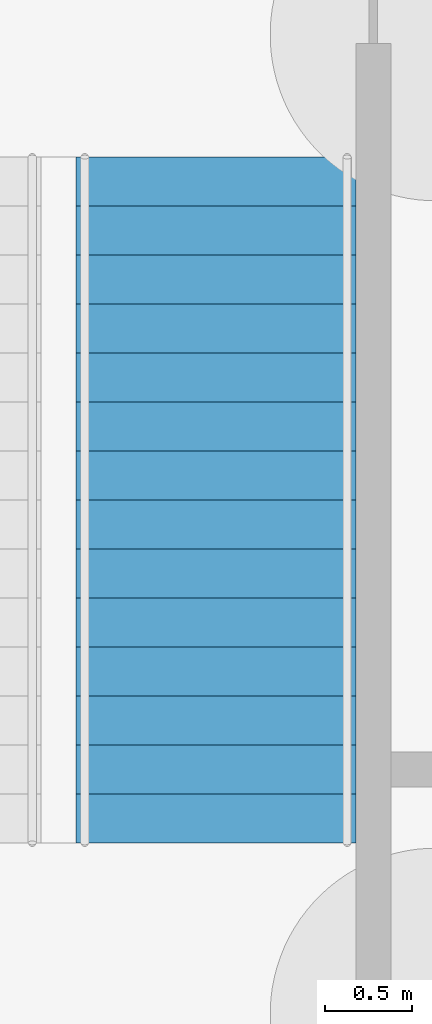
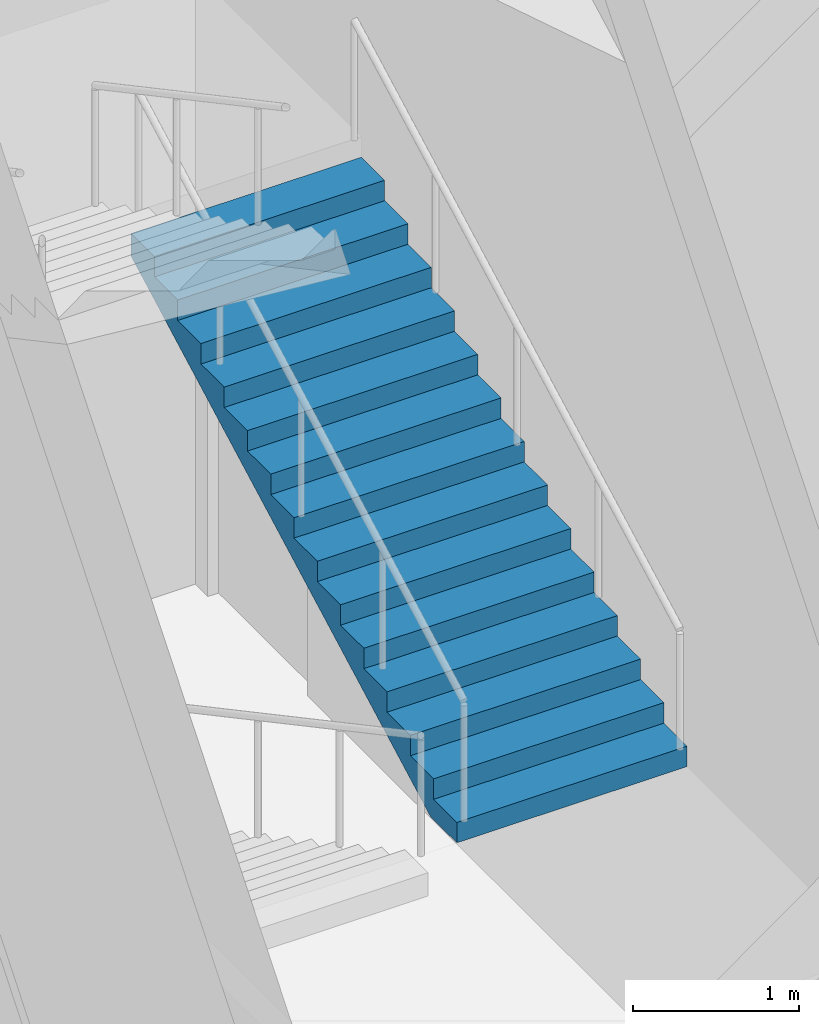
# One storey, part 90 of 113: 1 stair flight, 1 element without a shape of its own.
"""IFC4 building model written with IfcOpenShell, lengths in metres."""

from ifc_helpers import new_model, si_unit, direction, frame, origin, place, context, subcontext, project, spatial, triangles, material, type_object, element, aggregate, save


model = new_model("IFC4")

# Units and contexts
model_context = context("Model", 3, precision=1e-05, world=origin(), true_north=direction((0.0, 1.0)))
body_context = subcontext(model_context, "Body", "Model", "MODEL_VIEW")
ifc_project = project(units=[si_unit("LENGTHUNIT", "METRE"), si_unit("AREAUNIT", "SQUARE_METRE"), si_unit("VOLUMEUNIT", "CUBIC_METRE"), si_unit("PLANEANGLEUNIT", "RADIAN"), si_unit("MASSUNIT", "GRAM", prefix="KILO")], contexts=[model_context])

# Site, building, storey
site_placement = place(None, origin())
site = spatial("IfcSite", under=ifc_project, at=site_placement, CompositionType="ELEMENT")
building_placement = place(site_placement, origin())
building = spatial("IfcBuilding", under=site, at=building_placement, Name="Hakoniwa Tower and Hamabe Station Hall", CompositionType="ELEMENT")
storey_placement = place(building_placement, origin())
storey = spatial("IfcBuildingStorey", under=building, at=storey_placement, Name="L01", CompositionType="ELEMENT", Elevation=0.0)

# Stair, stair flight
ifc_material_1 = material(Name="Concrete C40", Category="concrete")
stair_type = type_object("IfcStairType", Name="STAIR 1600 15X150", PredefinedType="HALF_TURN_STAIR", material=ifc_material_1)
stair_placement = place(storey_placement, origin())
stair = element("IfcStair", 1, at=stair_placement, inside=storey, type_object=stair_type, Name="Escape stair SS3 L01", PredefinedType="HALF_TURN_STAIR")
ifc_material_2 = material(Name="Concrete C40", Category="concrete")
stair_flight_type = type_object("IfcStairFlightType", Name="STAIR FLIGHT 1600", PredefinedType="STRAIGHT", material=ifc_material_2)
stair_flight_placement = place(storey_placement, frame((89.25, -20.820068359375, 2.25), z_axis=(0.0, 0.0, 1.0), x_axis=(0.0, 1.0, 0.0)))
stair_flight = element("IfcStairFlight", 2, at=stair_flight_placement, type_object=stair_flight_type, Name="SS3 flight 2", NumberOfRisers=15, NumberOfTreads=14, PredefinedType="STRAIGHT", RiserHeight=0.15, TreadLength=0.28, context=body_context, shape_type="Tessellation", body=[
    triangles([(0.0, 0.800048828125, 0.0), (0.280029296875, 0.800048828125, 0.0), (0.3173828125, 0.800048828125, 0.0), (0.56005859375, 0.800048828125, 0.1298828125), (0.840087890625, 0.800048828125, 0.280029296875), (1.1201171875, 0.800048828125, 0.429931640625), (1.39990234375, 0.800048828125, 0.579833984375), (1.679931640625, 0.800048828125, 0.72998046875), (1.9599609375, 0.800048828125, 0.8798828125), (2.239990234375, 0.800048828125, 1.030029296875), (2.52001953125, 0.800048828125, 1.179931640625), (2.800048828125, 0.800048828125, 1.329833984375), (3.080078125, 0.800048828125, 1.47998046875), (3.360107421875, 0.800048828125, 1.6298828125), (3.639892578125, 0.800048828125, 1.780029296875), (3.919921875, 0.800048828125, 1.929931640625), (3.919921875, 0.800048828125, 2.10009765625), (3.639892578125, 0.800048828125, 2.10009765625), (3.639892578125, 0.800048828125, 1.949951171875), (3.360107421875, 0.800048828125, 1.949951171875), (3.360107421875, 0.800048828125, 1.800048828125), (3.080078125, 0.800048828125, 1.800048828125), (3.080078125, 0.800048828125, 1.64990234375), (2.800048828125, 0.800048828125, 1.64990234375), (2.800048828125, 0.800048828125, 1.5), (2.52001953125, 0.800048828125, 1.5), (2.52001953125, 0.800048828125, 1.35009765625), (2.239990234375, 0.800048828125, 1.35009765625), (2.239990234375, 0.800048828125, 1.199951171875), (1.9599609375, 0.800048828125, 1.199951171875), (1.9599609375, 0.800048828125, 1.050048828125), (1.679931640625, 0.800048828125, 1.050048828125), (1.679931640625, 0.800048828125, 0.89990234375), (1.39990234375, 0.800048828125, 0.89990234375), (1.39990234375, 0.800048828125, 0.75), (1.1201171875, 0.800048828125, 0.75), (1.1201171875, 0.800048828125, 0.60009765625), (0.840087890625, 0.800048828125, 0.60009765625), (0.840087890625, 0.800048828125, 0.449951171875), (0.56005859375, 0.800048828125, 0.449951171875), (0.56005859375, 0.800048828125, 0.300048828125), (0.3173828125, 0.800048828125, 0.300048828125), (0.280029296875, 0.800048828125, 0.300048828125), (0.280029296875, 0.800048828125, 0.14990234375), (0.0, 0.800048828125, 0.14990234375), (0.0, 0.06005859375, 0.0), (0.280029296875, 0.06005859375, 0.0), (0.3173828125, 0.06005859375, 0.0), (0.56005859375, 0.06005859375, 0.1298828125), (0.840087890625, 0.06005859375, 0.280029296875), (1.1201171875, 0.06005859375, 0.429931640625), (1.39990234375, 0.06005859375, 0.579833984375), (1.679931640625, 0.06005859375, 0.72998046875), (1.9599609375, 0.06005859375, 0.8798828125), (2.239990234375, 0.06005859375, 1.030029296875), (2.52001953125, 0.06005859375, 1.179931640625), (2.800048828125, 0.06005859375, 1.329833984375), (3.080078125, 0.06005859375, 1.47998046875), (3.360107421875, 0.06005859375, 1.6298828125), (3.639892578125, 0.06005859375, 1.780029296875), (3.919921875, 0.06005859375, 1.929931640625), (3.919921875, 0.06005859375, 2.10009765625), (3.639892578125, 0.06005859375, 2.10009765625), (3.639892578125, 0.06005859375, 1.949951171875), (3.360107421875, 0.06005859375, 1.949951171875), (3.360107421875, 0.06005859375, 1.800048828125), (3.080078125, 0.06005859375, 1.800048828125), (3.080078125, 0.06005859375, 1.64990234375), (2.800048828125, 0.06005859375, 1.64990234375), (2.800048828125, 0.06005859375, 1.5), (2.52001953125, 0.06005859375, 1.5), (2.52001953125, 0.06005859375, 1.35009765625), (2.239990234375, 0.06005859375, 1.35009765625), (2.239990234375, 0.06005859375, 1.199951171875), (1.9599609375, 0.06005859375, 1.199951171875), (1.9599609375, 0.06005859375, 1.050048828125), (1.679931640625, 0.06005859375, 1.050048828125), (1.679931640625, 0.06005859375, 0.89990234375), (1.39990234375, 0.06005859375, 0.89990234375), (1.39990234375, 0.06005859375, 0.75), (1.1201171875, 0.06005859375, 0.75), (1.1201171875, 0.06005859375, 0.60009765625), (0.840087890625, 0.06005859375, 0.60009765625), (0.840087890625, 0.06005859375, 0.449951171875), (0.56005859375, 0.06005859375, 0.449951171875), (0.56005859375, 0.06005859375, 0.300048828125), (0.3173828125, 0.06005859375, 0.300048828125), (0.280029296875, 0.06005859375, 0.300048828125), (0.280029296875, 0.06005859375, 0.14990234375), (0.0, 0.06005859375, 0.14990234375), (0.0, 0.02001953125, 0.0), (0.280029296875, 0.02001953125, 0.0), (0.3173828125, 0.02001953125, 0.0), (0.56005859375, 0.02001953125, 0.1298828125), (0.840087890625, 0.02001953125, 0.280029296875), (1.1201171875, 0.02001953125, 0.429931640625), (1.39990234375, 0.02001953125, 0.579833984375), (1.679931640625, 0.02001953125, 0.72998046875), (1.9599609375, 0.02001953125, 0.8798828125), (2.239990234375, 0.02001953125, 1.030029296875), (2.52001953125, 0.02001953125, 1.179931640625), (2.800048828125, 0.02001953125, 1.329833984375), (3.080078125, 0.02001953125, 1.47998046875), (3.360107421875, 0.02001953125, 1.6298828125), (3.639892578125, 0.02001953125, 1.780029296875), (3.919921875, 0.02001953125, 1.929931640625), (3.919921875, 0.02001953125, 2.10009765625), (3.639892578125, 0.02001953125, 2.10009765625), (3.639892578125, 0.02001953125, 1.949951171875), (3.360107421875, 0.02001953125, 1.949951171875), (3.360107421875, 0.02001953125, 1.800048828125), (3.080078125, 0.02001953125, 1.800048828125), (3.080078125, 0.02001953125, 1.64990234375), (2.800048828125, 0.02001953125, 1.64990234375), (2.800048828125, 0.02001953125, 1.5), (2.52001953125, 0.02001953125, 1.5), (2.52001953125, 0.02001953125, 1.35009765625), (2.239990234375, 0.02001953125, 1.35009765625), (2.239990234375, 0.02001953125, 1.199951171875), (1.9599609375, 0.02001953125, 1.199951171875), (1.9599609375, 0.02001953125, 1.050048828125), (1.679931640625, 0.02001953125, 1.050048828125), (1.679931640625, 0.02001953125, 0.89990234375), (1.39990234375, 0.02001953125, 0.89990234375), (1.39990234375, 0.02001953125, 0.75), (1.1201171875, 0.02001953125, 0.75), (1.1201171875, 0.02001953125, 0.60009765625), (0.840087890625, 0.02001953125, 0.60009765625), (0.840087890625, 0.02001953125, 0.449951171875), (0.56005859375, 0.02001953125, 0.449951171875), (0.56005859375, 0.02001953125, 0.300048828125), (0.3173828125, 0.02001953125, 0.300048828125), (0.280029296875, 0.02001953125, 0.300048828125), (0.280029296875, 0.02001953125, 0.14990234375), (0.0, 0.02001953125, 0.14990234375), (0.0, -0.02001953125, 0.0), (0.280029296875, -0.02001953125, 0.0), (0.3173828125, -0.02001953125, 0.0), (0.56005859375, -0.02001953125, 0.1298828125), (0.840087890625, -0.02001953125, 0.280029296875), (1.1201171875, -0.02001953125, 0.429931640625), (1.39990234375, -0.02001953125, 0.579833984375), (1.679931640625, -0.02001953125, 0.72998046875), (1.9599609375, -0.02001953125, 0.8798828125), (2.239990234375, -0.02001953125, 1.030029296875), (2.52001953125, -0.02001953125, 1.179931640625), (2.800048828125, -0.02001953125, 1.329833984375), (3.080078125, -0.02001953125, 1.47998046875), (3.360107421875, -0.02001953125, 1.6298828125), (3.639892578125, -0.02001953125, 1.780029296875), (3.919921875, -0.02001953125, 1.929931640625), (3.919921875, -0.02001953125, 2.10009765625), (3.639892578125, -0.02001953125, 2.10009765625), (3.639892578125, -0.02001953125, 1.949951171875), (3.360107421875, -0.02001953125, 1.949951171875), (3.360107421875, -0.02001953125, 1.800048828125), (3.080078125, -0.02001953125, 1.800048828125), (3.080078125, -0.02001953125, 1.64990234375), (2.800048828125, -0.02001953125, 1.64990234375), (2.800048828125, -0.02001953125, 1.5), (2.52001953125, -0.02001953125, 1.5), (2.52001953125, -0.02001953125, 1.35009765625), (2.239990234375, -0.02001953125, 1.35009765625), (2.239990234375, -0.02001953125, 1.199951171875), (1.9599609375, -0.02001953125, 1.199951171875), (1.9599609375, -0.02001953125, 1.050048828125), (1.679931640625, -0.02001953125, 1.050048828125), (1.679931640625, -0.02001953125, 0.89990234375), (1.39990234375, -0.02001953125, 0.89990234375), (1.39990234375, -0.02001953125, 0.75), (1.1201171875, -0.02001953125, 0.75), (1.1201171875, -0.02001953125, 0.60009765625), (0.840087890625, -0.02001953125, 0.60009765625), (0.840087890625, -0.02001953125, 0.449951171875), (0.56005859375, -0.02001953125, 0.449951171875), (0.56005859375, -0.02001953125, 0.300048828125), (0.3173828125, -0.02001953125, 0.300048828125), (0.280029296875, -0.02001953125, 0.300048828125), (0.280029296875, -0.02001953125, 0.14990234375), (0.0, -0.02001953125, 0.14990234375), (0.0, -0.06005859375, 0.0), (0.280029296875, -0.06005859375, 0.0), (0.3173828125, -0.06005859375, 0.0), (0.56005859375, -0.06005859375, 0.1298828125), (0.840087890625, -0.06005859375, 0.280029296875), (1.1201171875, -0.06005859375, 0.429931640625), (1.39990234375, -0.06005859375, 0.579833984375), (1.679931640625, -0.06005859375, 0.72998046875), (1.9599609375, -0.06005859375, 0.8798828125), (2.239990234375, -0.06005859375, 1.030029296875), (2.52001953125, -0.06005859375, 1.179931640625), (2.800048828125, -0.06005859375, 1.329833984375), (3.080078125, -0.06005859375, 1.47998046875), (3.360107421875, -0.06005859375, 1.6298828125), (3.639892578125, -0.06005859375, 1.780029296875), (3.919921875, -0.06005859375, 1.929931640625), (3.919921875, -0.06005859375, 2.10009765625), (3.639892578125, -0.06005859375, 2.10009765625), (3.639892578125, -0.06005859375, 1.949951171875), (3.360107421875, -0.06005859375, 1.949951171875), (3.360107421875, -0.06005859375, 1.800048828125), (3.080078125, -0.06005859375, 1.800048828125), (3.080078125, -0.06005859375, 1.64990234375), (2.800048828125, -0.06005859375, 1.64990234375), (2.800048828125, -0.06005859375, 1.5), (2.52001953125, -0.06005859375, 1.5), (2.52001953125, -0.06005859375, 1.35009765625), (2.239990234375, -0.06005859375, 1.35009765625), (2.239990234375, -0.06005859375, 1.199951171875), (1.9599609375, -0.06005859375, 1.199951171875), (1.9599609375, -0.06005859375, 1.050048828125), (1.679931640625, -0.06005859375, 1.050048828125), (1.679931640625, -0.06005859375, 0.89990234375), (1.39990234375, -0.06005859375, 0.89990234375), (1.39990234375, -0.06005859375, 0.75), (1.1201171875, -0.06005859375, 0.75), (1.1201171875, -0.06005859375, 0.60009765625), (0.840087890625, -0.06005859375, 0.60009765625), (0.840087890625, -0.06005859375, 0.449951171875), (0.56005859375, -0.06005859375, 0.449951171875), (0.56005859375, -0.06005859375, 0.300048828125), (0.3173828125, -0.06005859375, 0.300048828125), (0.280029296875, -0.06005859375, 0.300048828125), (0.280029296875, -0.06005859375, 0.14990234375), (0.0, -0.06005859375, 0.14990234375), (0.0, -0.800048828125, 0.0), (0.280029296875, -0.800048828125, 0.0), (0.3173828125, -0.800048828125, 0.0), (0.56005859375, -0.800048828125, 0.1298828125), (0.840087890625, -0.800048828125, 0.280029296875), (1.1201171875, -0.800048828125, 0.429931640625), (1.39990234375, -0.800048828125, 0.579833984375), (1.679931640625, -0.800048828125, 0.72998046875), (1.9599609375, -0.800048828125, 0.8798828125), (2.239990234375, -0.800048828125, 1.030029296875), (2.52001953125, -0.800048828125, 1.179931640625), (2.800048828125, -0.800048828125, 1.329833984375), (3.080078125, -0.800048828125, 1.47998046875), (3.360107421875, -0.800048828125, 1.6298828125), (3.639892578125, -0.800048828125, 1.780029296875), (3.919921875, -0.800048828125, 1.929931640625), (3.919921875, -0.800048828125, 2.10009765625), (3.639892578125, -0.800048828125, 2.10009765625), (3.639892578125, -0.800048828125, 1.949951171875), (3.360107421875, -0.800048828125, 1.949951171875), (3.360107421875, -0.800048828125, 1.800048828125), (3.080078125, -0.800048828125, 1.800048828125), (3.080078125, -0.800048828125, 1.64990234375), (2.800048828125, -0.800048828125, 1.64990234375), (2.800048828125, -0.800048828125, 1.5), (2.52001953125, -0.800048828125, 1.5), (2.52001953125, -0.800048828125, 1.35009765625), (2.239990234375, -0.800048828125, 1.35009765625), (2.239990234375, -0.800048828125, 1.199951171875), (1.9599609375, -0.800048828125, 1.199951171875), (1.9599609375, -0.800048828125, 1.050048828125), (1.679931640625, -0.800048828125, 1.050048828125), (1.679931640625, -0.800048828125, 0.89990234375), (1.39990234375, -0.800048828125, 0.89990234375), (1.39990234375, -0.800048828125, 0.75), (1.1201171875, -0.800048828125, 0.75), (1.1201171875, -0.800048828125, 0.60009765625), (0.840087890625, -0.800048828125, 0.60009765625), (0.840087890625, -0.800048828125, 0.449951171875), (0.56005859375, -0.800048828125, 0.449951171875), (0.56005859375, -0.800048828125, 0.300048828125), (0.3173828125, -0.800048828125, 0.300048828125), (0.280029296875, -0.800048828125, 0.300048828125), (0.280029296875, -0.800048828125, 0.14990234375), (0.0, -0.800048828125, 0.14990234375)], [[2, 45, 44], [227, 269, 270], [2, 1, 45], [227, 270, 226], [3, 43, 42], [228, 267, 268], [3, 44, 43], [228, 268, 269], [3, 2, 44], [228, 269, 227], [4, 42, 41], [229, 266, 267], [4, 3, 42], [229, 267, 228], [5, 40, 39], [230, 264, 265], [5, 41, 40], [230, 265, 266], [5, 4, 41], [230, 266, 229], [6, 38, 37], [231, 262, 263], [6, 39, 38], [231, 263, 264], [6, 5, 39], [231, 264, 230], [7, 36, 35], [232, 260, 261], [7, 37, 36], [232, 261, 262], [7, 6, 37], [232, 262, 231], [8, 34, 33], [233, 258, 259], [8, 35, 34], [233, 259, 260], [8, 7, 35], [233, 260, 232], [9, 32, 31], [234, 256, 257], [9, 33, 32], [234, 257, 258], [9, 8, 33], [234, 258, 233], [10, 30, 29], [235, 254, 255], [10, 31, 30], [235, 255, 256], [10, 9, 31], [235, 256, 234], [11, 28, 27], [236, 252, 253], [11, 29, 28], [236, 253, 254], [11, 10, 29], [236, 254, 235], [12, 26, 25], [237, 250, 251], [12, 27, 26], [237, 251, 252], [12, 11, 27], [237, 252, 236], [13, 24, 23], [238, 248, 249], [13, 25, 24], [238, 249, 250], [13, 12, 25], [238, 250, 237], [14, 22, 21], [239, 246, 247], [14, 23, 22], [239, 247, 248], [14, 13, 23], [239, 248, 238], [15, 20, 19], [240, 244, 245], [15, 21, 20], [240, 245, 246], [15, 14, 21], [240, 246, 239], [16, 18, 17], [241, 242, 243], [16, 19, 18], [241, 243, 244], [16, 15, 19], [241, 244, 240], [1, 2, 47], [1, 47, 46], [46, 47, 92], [46, 92, 91], [91, 92, 137], [91, 137, 136], [136, 137, 182], [136, 182, 181], [181, 182, 227], [181, 227, 226], [2, 3, 48], [2, 48, 47], [47, 48, 93], [47, 93, 92], [92, 93, 138], [92, 138, 137], [137, 138, 183], [137, 183, 182], [182, 183, 228], [182, 228, 227], [3, 4, 49], [3, 49, 48], [48, 49, 94], [48, 94, 93], [93, 94, 139], [93, 139, 138], [138, 139, 184], [138, 184, 183], [183, 184, 229], [183, 229, 228], [4, 5, 50], [4, 50, 49], [49, 50, 95], [49, 95, 94], [94, 95, 140], [94, 140, 139], [139, 140, 185], [139, 185, 184], [184, 185, 230], [184, 230, 229], [5, 6, 51], [5, 51, 50], [50, 51, 96], [50, 96, 95], [95, 96, 141], [95, 141, 140], [140, 141, 186], [140, 186, 185], [185, 186, 231], [185, 231, 230], [6, 7, 52], [6, 52, 51], [51, 52, 97], [51, 97, 96], [96, 97, 142], [96, 142, 141], [141, 142, 187], [141, 187, 186], [186, 187, 232], [186, 232, 231], [7, 8, 53], [7, 53, 52], [52, 53, 98], [52, 98, 97], [97, 98, 143], [97, 143, 142], [142, 143, 188], [142, 188, 187], [187, 188, 233], [187, 233, 232], [8, 9, 54], [8, 54, 53], [53, 54, 99], [53, 99, 98], [98, 99, 144], [98, 144, 143], [143, 144, 189], [143, 189, 188], [188, 189, 234], [188, 234, 233], [9, 10, 55], [9, 55, 54], [54, 55, 100], [54, 100, 99], [99, 100, 145], [99, 145, 144], [144, 145, 190], [144, 190, 189], [189, 190, 235], [189, 235, 234], [10, 11, 56], [10, 56, 55], [55, 56, 101], [55, 101, 100], [100, 101, 146], [100, 146, 145], [145, 146, 191], [145, 191, 190], [190, 191, 236], [190, 236, 235], [11, 12, 57], [11, 57, 56], [56, 57, 102], [56, 102, 101], [101, 102, 147], [101, 147, 146], [146, 147, 192], [146, 192, 191], [191, 192, 237], [191, 237, 236], [12, 13, 58], [12, 58, 57], [57, 58, 103], [57, 103, 102], [102, 103, 148], [102, 148, 147], [147, 148, 193], [147, 193, 192], [192, 193, 238], [192, 238, 237], [13, 14, 59], [13, 59, 58], [58, 59, 104], [58, 104, 103], [103, 104, 149], [103, 149, 148], [148, 149, 194], [148, 194, 193], [193, 194, 239], [193, 239, 238], [14, 15, 60], [14, 60, 59], [59, 60, 105], [59, 105, 104], [104, 105, 150], [104, 150, 149], [149, 150, 195], [149, 195, 194], [194, 195, 240], [194, 240, 239], [15, 16, 61], [15, 61, 60], [60, 61, 106], [60, 106, 105], [105, 106, 151], [105, 151, 150], [150, 151, 196], [150, 196, 195], [195, 196, 241], [195, 241, 240], [16, 17, 62], [16, 62, 61], [61, 62, 107], [61, 107, 106], [106, 107, 152], [106, 152, 151], [151, 152, 197], [151, 197, 196], [196, 197, 242], [196, 242, 241], [17, 18, 63], [17, 63, 62], [62, 63, 108], [62, 108, 107], [107, 108, 153], [107, 153, 152], [152, 153, 198], [152, 198, 197], [197, 198, 243], [197, 243, 242], [18, 19, 64], [18, 64, 63], [63, 64, 109], [63, 109, 108], [108, 109, 154], [108, 154, 153], [153, 154, 199], [153, 199, 198], [198, 199, 244], [198, 244, 243], [19, 20, 65], [19, 65, 64], [64, 65, 110], [64, 110, 109], [109, 110, 155], [109, 155, 154], [154, 155, 200], [154, 200, 199], [199, 200, 245], [199, 245, 244], [20, 21, 66], [20, 66, 65], [65, 66, 111], [65, 111, 110], [110, 111, 156], [110, 156, 155], [155, 156, 201], [155, 201, 200], [200, 201, 246], [200, 246, 245], [21, 22, 67], [21, 67, 66], [66, 67, 112], [66, 112, 111], [111, 112, 157], [111, 157, 156], [156, 157, 202], [156, 202, 201], [201, 202, 247], [201, 247, 246], [22, 23, 68], [22, 68, 67], [67, 68, 113], [67, 113, 112], [112, 113, 158], [112, 158, 157], [157, 158, 203], [157, 203, 202], [202, 203, 248], [202, 248, 247], [23, 24, 69], [23, 69, 68], [68, 69, 114], [68, 114, 113], [113, 114, 159], [113, 159, 158], [158, 159, 204], [158, 204, 203], [203, 204, 249], [203, 249, 248], [24, 25, 70], [24, 70, 69], [69, 70, 115], [69, 115, 114], [114, 115, 160], [114, 160, 159], [159, 160, 205], [159, 205, 204], [204, 205, 250], [204, 250, 249], [25, 26, 71], [25, 71, 70], [70, 71, 116], [70, 116, 115], [115, 116, 161], [115, 161, 160], [160, 161, 206], [160, 206, 205], [205, 206, 251], [205, 251, 250], [26, 27, 72], [26, 72, 71], [71, 72, 117], [71, 117, 116], [116, 117, 162], [116, 162, 161], [161, 162, 207], [161, 207, 206], [206, 207, 252], [206, 252, 251], [27, 28, 73], [27, 73, 72], [72, 73, 118], [72, 118, 117], [117, 118, 163], [117, 163, 162], [162, 163, 208], [162, 208, 207], [207, 208, 253], [207, 253, 252], [28, 29, 74], [28, 74, 73], [73, 74, 119], [73, 119, 118], [118, 119, 164], [118, 164, 163], [163, 164, 209], [163, 209, 208], [208, 209, 254], [208, 254, 253], [29, 30, 75], [29, 75, 74], [74, 75, 120], [74, 120, 119], [119, 120, 165], [119, 165, 164], [164, 165, 210], [164, 210, 209], [209, 210, 255], [209, 255, 254], [30, 31, 76], [30, 76, 75], [75, 76, 121], [75, 121, 120], [120, 121, 166], [120, 166, 165], [165, 166, 211], [165, 211, 210], [210, 211, 256], [210, 256, 255], [31, 32, 77], [31, 77, 76], [76, 77, 122], [76, 122, 121], [121, 122, 167], [121, 167, 166], [166, 167, 212], [166, 212, 211], [211, 212, 257], [211, 257, 256], [32, 33, 78], [32, 78, 77], [77, 78, 123], [77, 123, 122], [122, 123, 168], [122, 168, 167], [167, 168, 213], [167, 213, 212], [212, 213, 258], [212, 258, 257], [33, 34, 79], [33, 79, 78], [78, 79, 124], [78, 124, 123], [123, 124, 169], [123, 169, 168], [168, 169, 214], [168, 214, 213], [213, 214, 259], [213, 259, 258], [34, 35, 80], [34, 80, 79], [79, 80, 125], [79, 125, 124], [124, 125, 170], [124, 170, 169], [169, 170, 215], [169, 215, 214], [214, 215, 260], [214, 260, 259], [35, 36, 81], [35, 81, 80], [80, 81, 126], [80, 126, 125], [125, 126, 171], [125, 171, 170], [170, 171, 216], [170, 216, 215], [215, 216, 261], [215, 261, 260], [36, 37, 82], [36, 82, 81], [81, 82, 127], [81, 127, 126], [126, 127, 172], [126, 172, 171], [171, 172, 217], [171, 217, 216], [216, 217, 262], [216, 262, 261], [37, 38, 83], [37, 83, 82], [82, 83, 128], [82, 128, 127], [127, 128, 173], [127, 173, 172], [172, 173, 218], [172, 218, 217], [217, 218, 263], [217, 263, 262], [38, 39, 84], [38, 84, 83], [83, 84, 129], [83, 129, 128], [128, 129, 174], [128, 174, 173], [173, 174, 219], [173, 219, 218], [218, 219, 264], [218, 264, 263], [39, 40, 85], [39, 85, 84], [84, 85, 130], [84, 130, 129], [129, 130, 175], [129, 175, 174], [174, 175, 220], [174, 220, 219], [219, 220, 265], [219, 265, 264], [40, 41, 86], [40, 86, 85], [85, 86, 131], [85, 131, 130], [130, 131, 176], [130, 176, 175], [175, 176, 221], [175, 221, 220], [220, 221, 266], [220, 266, 265], [41, 42, 87], [41, 87, 86], [86, 87, 132], [86, 132, 131], [131, 132, 177], [131, 177, 176], [176, 177, 222], [176, 222, 221], [221, 222, 267], [221, 267, 266], [42, 43, 88], [42, 88, 87], [87, 88, 133], [87, 133, 132], [132, 133, 178], [132, 178, 177], [177, 178, 223], [177, 223, 222], [222, 223, 268], [222, 268, 267], [43, 44, 89], [43, 89, 88], [88, 89, 134], [88, 134, 133], [133, 134, 179], [133, 179, 178], [178, 179, 224], [178, 224, 223], [223, 224, 269], [223, 269, 268], [44, 45, 90], [44, 90, 89], [89, 90, 135], [89, 135, 134], [134, 135, 180], [134, 180, 179], [179, 180, 225], [179, 225, 224], [224, 225, 270], [224, 270, 269], [45, 1, 46], [45, 46, 90], [90, 46, 91], [90, 91, 135], [135, 91, 136], [135, 136, 180], [180, 136, 181], [180, 181, 225], [225, 181, 226], [225, 226, 270]], closed=True),
])
aggregate(stair, [stair_flight])

save(model, "model.ifc")
